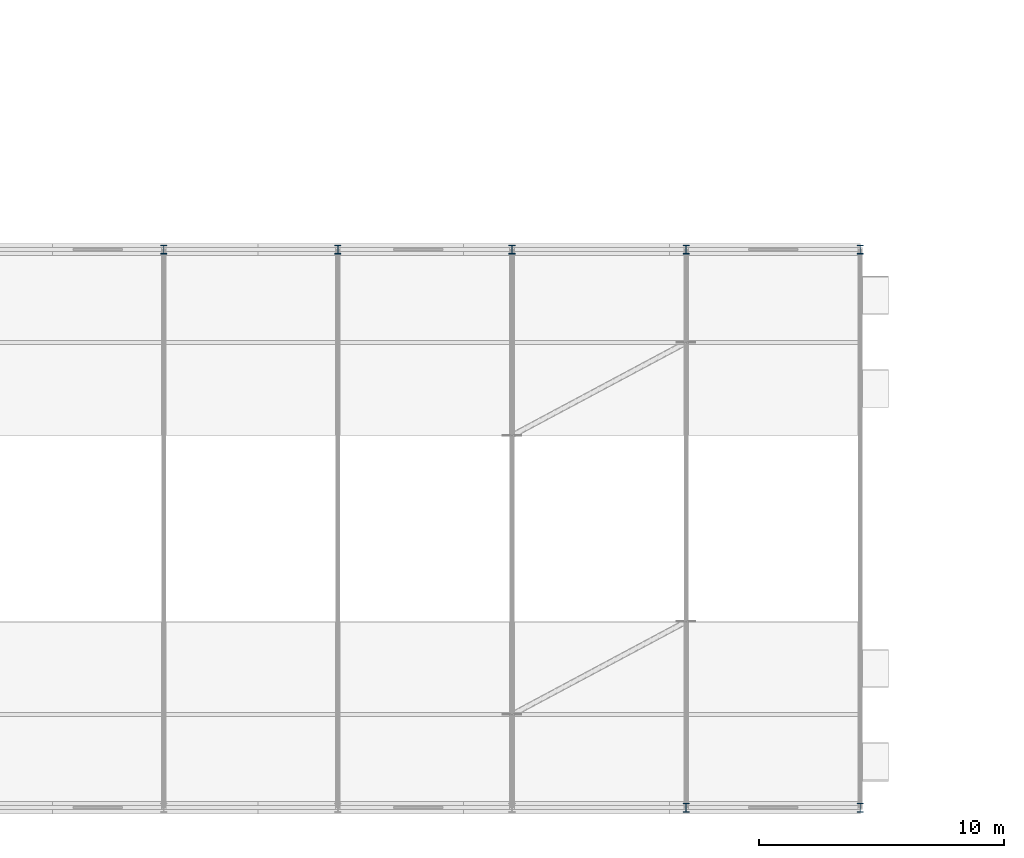
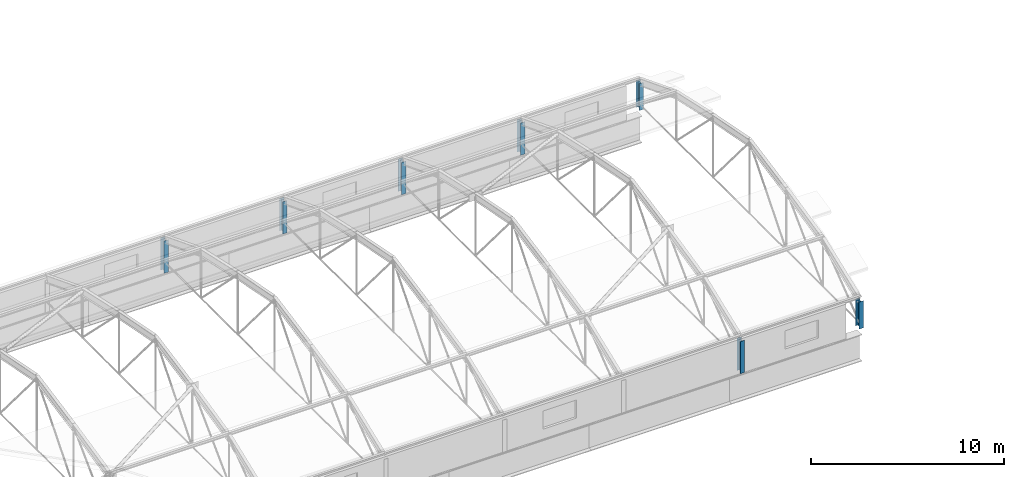
# One storey, part 2 of 53: 7 columns.
"""IFC4 building model written with IfcOpenShell, lengths in metres."""

from ifc_helpers import new_model, si_unit, direction, frame, origin_with_axes, origin_2d_with_axis, place, context, subcontext, project, spatial, i_section, extrude, material, material_profile, profile_set, type_object, element, save


model = new_model("IFC4")

# Units and contexts
model_context = context("Model", 3, precision=1e-05, world=origin_with_axes(), true_north=direction((0.0, 1.0)))
body_context = subcontext(model_context, "Body", "Model", "MODEL_VIEW")
ifc_project = project(units=[si_unit("LENGTHUNIT", "METRE"), si_unit("AREAUNIT", "SQUARE_METRE"), si_unit("VOLUMEUNIT", "CUBIC_METRE"), si_unit("PLANEANGLEUNIT", "RADIAN"), si_unit("MASSUNIT", "GRAM", prefix="KILO"), si_unit("THERMODYNAMICTEMPERATUREUNIT", "KELVIN")], contexts=[model_context])

# Site, building, storey
site_placement = place(None, origin_with_axes())
site = spatial("IfcSite", under=ifc_project, at=site_placement, CompositionType="ELEMENT")
building_placement = place(site_placement, origin_with_axes())
building = spatial("IfcBuilding", under=site, at=building_placement, Name="Montbau Bow Law Courts", CompositionType="ELEMENT")
storey_placement = place(building_placement, frame((0.0, 0.0, 39.0), z_axis=(0.0, 0.0, 1.0), x_axis=(1.0, 0.0, 0.0)))
storey = spatial("IfcBuildingStorey", under=building, at=storey_placement, Name="L08", CompositionType="ELEMENT", Elevation=39.0)

# Columns
ifc_material = material(Name="Steel CSA G40.21 Grade 350W (350 MPa)", Category="steel")
ifc_material_profile = material_profile(ifc_material, i_section(OverallWidth=0.257, OverallDepth=0.363, WebThickness=0.013, FlangeThickness=0.0217, at=origin_2d_with_axis()), Name="W360X122", Category="Main", Priority=0)
ifc_profile_set = profile_set([ifc_material_profile], Name="Steel CSA G40.21 Grade 350W (350 MPa)")
column_type = type_object("IfcColumnType", Name="C-STL-05", PredefinedType="COLUMN", material=ifc_profile_set)
for number, where, z_axis, x_axis, name in (
    (1, (76.543, 61.8, 38.66), (0.0, 0.0, 1.0), (1.0, 0.0, 0.0), "C-VLT-V3-04N:col2_1200"),
    (2, (83.657, 61.8, 38.66), (0.0, 0.0, 1.0), (1.0, 0.0, 0.0), "C-VLT-V3-05N:col2_1202"),
    (3, (90.771, 61.8, 38.66), (0.0, 0.0, 1.0), (1.0, 0.0, 0.0), "C-VLT-V3-06N:col2_1204"),
    (4, (97.886, 39.0, 38.66), (0.0, 0.0, 1.0), (1.0, 0.0, 0.0), "C-VLT-V3-07S:col2_1205"),
    (5, (97.886, 61.8, 38.66), (0.0, 0.0, 1.0), (1.0, 0.0, 0.0), "C-VLT-V3-07N:col2_1206"),
):
    element("IfcColumn", number, at=place(None, frame(where, z_axis=z_axis, x_axis=x_axis)), inside=storey, type_object=column_type, Name=name, PredefinedType="COLUMN", context=body_context, shape_type="SweptSolid", body=[
        extrude(i_section(OverallWidth=0.257, OverallDepth=0.363, WebThickness=0.013, FlangeThickness=0.0217, at=origin_2d_with_axis()), origin_with_axes(), (0.0, 0.0, 1.0), 2.04),
    ])
for number, where, z_axis, x_axis, name in (
    (6, (105.0, 39.0, 39.0), (0.0, 0.0, 1.0), (1.0, 0.0, 0.0), "C-VLT-V3-08S:col2_1207"),
    (7, (105.0, 61.8, 39.0), (0.0, 0.0, 1.0), (1.0, 0.0, 0.0), "C-VLT-V3-08N:col2_1208"),
):
    element("IfcColumn", number, at=place(None, frame(where, z_axis=z_axis, x_axis=x_axis)), inside=storey, type_object=column_type, Name=name, PredefinedType="COLUMN", context=body_context, shape_type="SweptSolid", body=[
        extrude(i_section(OverallWidth=0.257, OverallDepth=0.363, WebThickness=0.013, FlangeThickness=0.0217, at=origin_2d_with_axis()), origin_with_axes(), (0.0, 0.0, 1.0), 1.7),
    ])

save(model, "model.ifc")
